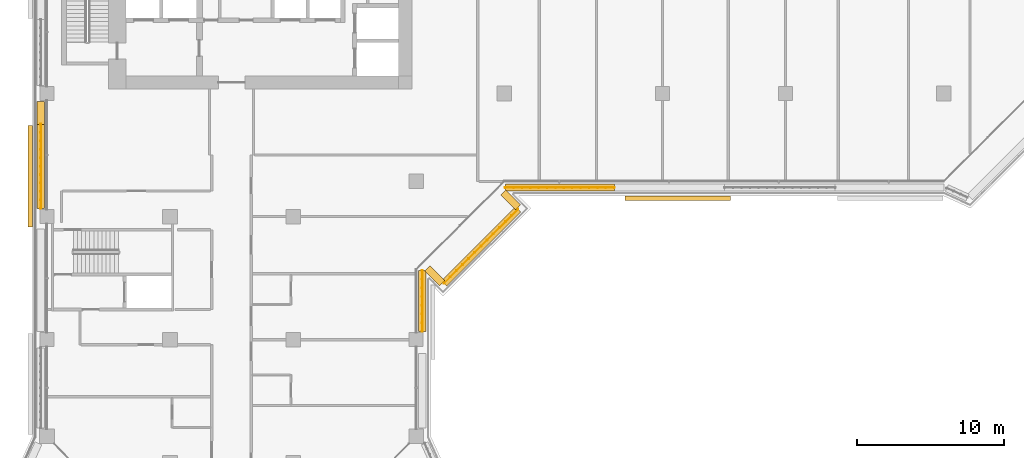
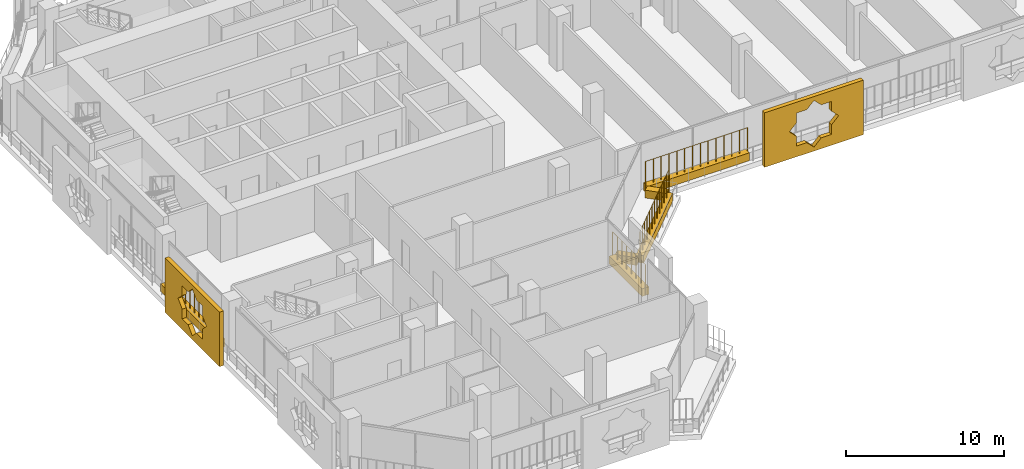
# One storey, part 16 of 21: 9 coverings, 4 railings.
"""IFC4 building model written with IfcOpenShell, lengths in metres."""

from ifc_helpers import new_model, si_unit, direction, frame, origin, origin_2d, place, context, subcontext, project, spatial, polyline, rectangle, circle, outline, extrude, material, material_profile, profile_set, type_object, element, save


model = new_model("IFC4")

# Units and contexts
model_context = context("Model", 3, precision=1e-05, world=origin(), true_north=direction((0.0, 1.0)))
body_context = subcontext(model_context, "Body", "Model", "MODEL_VIEW")
ifc_project = project(units=[si_unit("LENGTHUNIT", "METRE"), si_unit("AREAUNIT", "SQUARE_METRE"), si_unit("VOLUMEUNIT", "CUBIC_METRE"), si_unit("PLANEANGLEUNIT", "RADIAN"), si_unit("MASSUNIT", "GRAM", prefix="KILO")], contexts=[model_context])

# Site, building, storey
site_placement = place(None, origin())
site = spatial("IfcSite", under=ifc_project, at=site_placement, CompositionType="ELEMENT")
building_placement = place(site_placement, origin())
building = spatial("IfcBuilding", under=site, at=building_placement, Name="Kawkab Arch Medical Tower", CompositionType="ELEMENT")
storey_placement = place(building_placement, frame((0.0, 0.0, 192.0)))
storey = spatial("IfcBuildingStorey", under=building, at=storey_placement, Name="L44", CompositionType="ELEMENT", Elevation=192.0)

# Coverings
ifc_material_1 = material(Name="Bronze anodised aluminium mashrabiya panel, eight-point star pattern", Category="aluminium")
ifc_material_profile_1 = material_profile(ifc_material_1, outline(polyline([(-3.449951171875, -2.10009765625), (3.449951171875, -2.10009765625), (3.449951171875, 2.10009765625), (-3.449951171875, 2.10009765625), (-3.449951171875, -2.10009765625)]), holes=[polyline([(1.800048828125, 0.0), (1.272705078125, 0.527099609375), (1.272705078125, 1.272705078125), (0.527099609375, 1.272705078125), (0.0, 1.800048828125), (-0.527099609375, 1.272705078125), (-1.272705078125, 1.272705078125), (-1.272705078125, 0.527099609375), (-1.800048828125, 0.0), (-1.272705078125, -0.527099609375), (-1.272705078125, -1.272705078125), (-0.527099609375, -1.272705078125), (0.0, -1.800048828125), (0.527099609375, -1.272705078125), (1.272705078125, -1.272705078125), (1.272705078125, -0.527099609375), (1.800048828125, 0.0)])]), Name="Mashrabiya panel 6900x4200")
ifc_profile_set_1 = profile_set([ifc_material_profile_1], Name="Bronze anodised aluminium mashrabiya panel, eight-point star pattern")
covering_type_1 = type_object("IfcCoveringType", Name="Mashrabiya panel 6900 x 4200", PredefinedType="USERDEFINED", material=ifc_profile_set_1)
covering_1_placement = place(storey_placement, frame((-1.0, -30.850341796875, 1.699951171875), z_axis=(-1.0, 0.0, 0.0), x_axis=(0.0, -1.0, 0.0)))
element("IfcCovering", 1, at=covering_1_placement, inside=storey, type_object=covering_type_1, Name="Mashrabiya panel L44.LOG-01-01.3", ObjectType="SCREEN", PredefinedType="USERDEFINED", context=body_context, shape_type="SweptSolid", body=[
    extrude(outline(polyline([(-3.449951171875, -2.10009765625), (3.449951171875, -2.10009765625), (3.449951171875, 2.10009765625), (-3.449951171875, 2.10009765625), (-3.449951171875, -2.10009765625)]), holes=[polyline([(1.800048828125, 0.0), (1.272705078125, 0.527099609375), (1.272705078125, 1.272705078125), (0.527099609375, 1.272705078125), (0.0, 1.800048828125), (-0.527099609375, 1.272705078125), (-1.272705078125, 1.272705078125), (-1.272705078125, 0.527099609375), (-1.800048828125, 0.0), (-1.272705078125, -0.527099609375), (-1.272705078125, -1.272705078125), (-0.527099609375, -1.272705078125), (0.0, -1.800048828125), (0.527099609375, -1.272705078125), (1.272705078125, -1.272705078125), (1.272705078125, -0.527099609375), (1.800048828125, 0.0)])]), origin(), (0.0, 0.0, 1.0), 0.300048828125),
])
ifc_material_2 = material(Name="Bronze anodised aluminium mashrabiya panel, eight-point star pattern", Category="aluminium")
ifc_material_profile_2 = material_profile(ifc_material_2, outline(polyline([(-3.60009765625, -2.10009765625), (3.60009765625, -2.10009765625), (3.60009765625, 2.10009765625), (-3.60009765625, 2.10009765625), (-3.60009765625, -2.10009765625)]), holes=[polyline([(1.800048828125, 0.0), (1.272705078125, 0.527099609375), (1.272705078125, 1.272705078125), (0.527099609375, 1.272705078125), (0.0, 1.800048828125), (-0.527099609375, 1.272705078125), (-1.272705078125, 1.272705078125), (-1.272705078125, 0.527099609375), (-1.800048828125, 0.0), (-1.272705078125, -0.527099609375), (-1.272705078125, -1.272705078125), (-0.527099609375, -1.272705078125), (0.0, -1.800048828125), (0.527099609375, -1.272705078125), (1.272705078125, -1.272705078125), (1.272705078125, -0.527099609375), (1.800048828125, 0.0)])]), Name="Mashrabiya panel 7200x4200")
ifc_profile_set_2 = profile_set([ifc_material_profile_2], Name="Bronze anodised aluminium mashrabiya panel, eight-point star pattern")
covering_type_2 = type_object("IfcCoveringType", Name="Mashrabiya panel 7200 x 4200", PredefinedType="USERDEFINED", material=ifc_profile_set_2)
covering_2_placement = place(storey_placement, frame((43.06494140625, -32.199951171875, 1.699951171875), z_axis=(0.0, -1.0, 0.0), x_axis=(1.0, 0.0, 0.0)))
element("IfcCovering", 2, at=covering_2_placement, inside=storey, type_object=covering_type_2, Name="Mashrabiya panel L44.LOG-01-01.11", ObjectType="SCREEN", PredefinedType="USERDEFINED", context=body_context, shape_type="SweptSolid", body=[
    extrude(outline(polyline([(-3.60009765625, -2.10009765625), (3.60009765625, -2.10009765625), (3.60009765625, 2.10009765625), (-3.60009765625, 2.10009765625), (-3.60009765625, -2.10009765625)]), holes=[polyline([(1.800048828125, 0.0), (1.272705078125, 0.527099609375), (1.272705078125, 1.272705078125), (0.527099609375, 1.272705078125), (0.0, 1.800048828125), (-0.527099609375, 1.272705078125), (-1.272705078125, 1.272705078125), (-1.272705078125, 0.527099609375), (-1.800048828125, 0.0), (-1.272705078125, -0.527099609375), (-1.272705078125, -1.272705078125), (-0.527099609375, -1.272705078125), (0.0, -1.800048828125), (0.527099609375, -1.272705078125), (1.272705078125, -1.272705078125), (1.272705078125, -0.527099609375), (1.800048828125, 0.0)])]), origin(), (0.0, 0.0, 1.0), 0.300048828125),
])
ifc_material_3 = material(Name="Planting soil in a precast trough", Category="concrete")
ifc_material_profile_3 = material_profile(ifc_material_3, rectangle(XDim=0.5, YDim=0.60009765625, at=origin_2d()), Name="Trough 500x600")
ifc_profile_set_3 = profile_set([ifc_material_profile_3], Name="Planting soil in a precast trough")
covering_type_3 = type_object("IfcCoveringType", Name="Planter trough 500 x 600", PredefinedType="USERDEFINED", material=ifc_profile_set_3)
covering_3_placement = place(storey_placement, frame((-0.419921875, -33.044921875, 0.300048828125), z_axis=(0.0, 1.0, 0.0), x_axis=(-1.0, 0.0, 0.0)))
element("IfcCovering", 3, at=covering_3_placement, inside=storey, type_object=covering_type_3, Name="Planter L44.LOG-01-01.9", ObjectType="PLANTER", PredefinedType="USERDEFINED", context=body_context, shape_type="SweptSolid", body=[
    extrude(rectangle(XDim=0.5, YDim=0.60009765625, at=origin_2d()), origin(), (0.0, 0.0, 1.0), 5.744873046875),
])
covering_4_placement = place(storey_placement, frame((-0.419921875, -27.300048828125, 0.300048828125), z_axis=(0.0, 1.0, 0.0), x_axis=(-1.0, 0.0, 0.0)))
element("IfcCovering", 4, at=covering_4_placement, inside=storey, type_object=covering_type_3, Name="Planter L44.LOG-01-01.10", ObjectType="PLANTER", PredefinedType="USERDEFINED", context=body_context, shape_type="SweptSolid", body=[
    extrude(rectangle(XDim=0.5, YDim=0.60009765625, at=origin_2d()), origin(), (0.0, 0.0, 1.0), 1.545166015625),
])
covering_5_placement = place(storey_placement, frame((38.719970703125, -31.6201171875, 0.300048828125), z_axis=(-1.0, 0.0, 0.0), x_axis=(0.0, -1.0, 0.0)))
element("IfcCovering", 5, at=covering_5_placement, inside=storey, type_object=covering_type_3, Name="Planter L44.LOG-01-01.37", ObjectType="PLANTER", PredefinedType="USERDEFINED", context=body_context, shape_type="SweptSolid", body=[
    extrude(rectangle(XDim=0.5, YDim=0.60009765625, at=origin_2d()), origin(), (0.0, 0.0, 1.0), 7.43505859375),
])
covering_6_placement = place(storey_placement, frame((31.14306640625, -31.962890625, 0.300048828125), z_axis=(0.707020805532, -0.707192746389, 0.0), x_axis=(0.707192746389, 0.707020805532, 0.0)))
element("IfcCovering", 6, at=covering_6_placement, inside=storey, type_object=covering_type_3, Name="Planter L44.LOG-01-01.38", ObjectType="PLANTER", PredefinedType="USERDEFINED", context=body_context, shape_type="SweptSolid", body=[
    extrude(rectangle(XDim=0.5, YDim=0.60009765625, at=origin_2d()), origin(), (0.0, 0.0, 1.0), 1.419921875),
])
covering_7_placement = place(storey_placement, frame((32.14697265625, -33.10888671875, 0.300048828125), z_axis=(-0.707106781187, -0.707106781187, 0.0), x_axis=(0.707106781187, -0.707106781187, 0.0)))
element("IfcCovering", 7, at=covering_7_placement, inside=storey, type_object=covering_type_3, Name="Planter L44.LOG-01-01.39", ObjectType="PLANTER", PredefinedType="USERDEFINED", context=body_context, shape_type="SweptSolid", body=[
    extrude(rectangle(XDim=0.5, YDim=0.60009765625, at=origin_2d()), origin(), (0.0, 0.0, 1.0), 7.125),
])
covering_8_placement = place(storey_placement, frame((26.967041015625, -38.14697265625, 0.300048828125), z_axis=(-0.707192746389, 0.707020805532, 0.0), x_axis=(-0.707020805532, -0.707192746389, 0.0)))
element("IfcCovering", 8, at=covering_8_placement, inside=storey, type_object=covering_type_3, Name="Planter L44.LOG-01-01.40", ObjectType="PLANTER", PredefinedType="USERDEFINED", context=body_context, shape_type="SweptSolid", body=[
    extrude(rectangle(XDim=0.5, YDim=0.60009765625, at=origin_2d()), origin(), (0.0, 0.0, 1.0), 1.419921875),
])
covering_9_placement = place(storey_placement, frame((25.6201171875, -37.284912109375, 0.300048828125), z_axis=(0.0, -1.0, 0.0), x_axis=(1.0, 0.0, 0.0)))
element("IfcCovering", 9, at=covering_9_placement, inside=storey, type_object=covering_type_3, Name="Planter L44.LOG-01-01.41", ObjectType="PLANTER", PredefinedType="USERDEFINED", context=body_context, shape_type="SweptSolid", body=[
    extrude(rectangle(XDim=0.5, YDim=0.60009765625, at=origin_2d()), origin(), (0.0, 0.0, 1.0), 4.16015625),
])

# Railings
ifc_material_4 = material(Name="Bronze anodised aluminium trellis for climbing plants", Category="aluminium")
railing_type = type_object("IfcRailingType", Name="Planting trellis 2400", PredefinedType="USERDEFINED", material=ifc_material_4)
railing_1_placement = place(storey_placement, frame((-0.419921875, -33.044921875, 0.0)))
element("IfcRailing", 10, at=railing_1_placement, inside=storey, type_object=railing_type, Name="Planting trellis L44.LOG-01-01.9", ObjectType="TRELLIS", PredefinedType="USERDEFINED", context=body_context, shape_type="SweptSolid", body=[
    extrude(circle(Radius=0.01513671875, at=origin_2d()), frame((0.0, 0.0, 2.384765625), z_axis=(0.0, 1.0, 0.0), x_axis=(-1.0, 0.0, 0.0)), (0.0, 0.0, 1.0), 5.744873046875),
    extrude(circle(Radius=0.030029296875, at=origin_2d()), origin(), (0.0, 0.0, 1.0), 2.369873046875),
    extrude(circle(Radius=0.030029296875, at=origin_2d()), frame((0.0, 0.574462890625, 0.0)), (0.0, 0.0, 1.0), 2.369873046875),
    extrude(circle(Radius=0.030029296875, at=origin_2d()), frame((0.0, 1.14892578125, 0.0)), (0.0, 0.0, 1.0), 2.369873046875),
    extrude(circle(Radius=0.030029296875, at=origin_2d()), frame((0.0, 1.723388671875, 0.0)), (0.0, 0.0, 1.0), 2.369873046875),
    extrude(circle(Radius=0.030029296875, at=origin_2d()), frame((0.0, 2.2978515625, 0.0)), (0.0, 0.0, 1.0), 2.369873046875),
    extrude(circle(Radius=0.030029296875, at=origin_2d()), frame((0.0, 2.87255859375, 0.0)), (0.0, 0.0, 1.0), 2.369873046875),
    extrude(circle(Radius=0.030029296875, at=origin_2d()), frame((0.0, 3.447021484375, 0.0)), (0.0, 0.0, 1.0), 2.369873046875),
    extrude(circle(Radius=0.030029296875, at=origin_2d()), frame((0.0, 4.021484375, 0.0)), (0.0, 0.0, 1.0), 2.369873046875),
    extrude(circle(Radius=0.030029296875, at=origin_2d()), frame((0.0, 4.595947265625, 0.0)), (0.0, 0.0, 1.0), 2.369873046875),
    extrude(circle(Radius=0.030029296875, at=origin_2d()), frame((0.0, 5.17041015625, 0.0)), (0.0, 0.0, 1.0), 2.369873046875),
    extrude(circle(Radius=0.030029296875, at=origin_2d()), frame((0.0, 5.744873046875, 0.0)), (0.0, 0.0, 1.0), 2.369873046875),
])
railing_2_placement = place(storey_placement, frame((38.719970703125, -31.6201171875, 0.0)))
element("IfcRailing", 11, at=railing_2_placement, inside=storey, type_object=railing_type, Name="Planting trellis L44.LOG-01-01.37", ObjectType="TRELLIS", PredefinedType="USERDEFINED", context=body_context, shape_type="SweptSolid", body=[
    extrude(circle(Radius=0.01513671875, at=origin_2d()), frame((0.0, 0.0, 2.384765625), z_axis=(-1.0, 0.0, 0.0), x_axis=(0.0, -1.0, 0.0)), (0.0, 0.0, 1.0), 7.43505859375),
    extrude(circle(Radius=0.030029296875, at=origin_2d()), origin(), (0.0, 0.0, 1.0), 2.369873046875),
    extrude(circle(Radius=0.030029296875, at=origin_2d()), frame((-0.572021484375, 0.0, 0.0)), (0.0, 0.0, 1.0), 2.369873046875),
    extrude(circle(Radius=0.030029296875, at=origin_2d()), frame((-1.143798828125, 0.0, 0.0)), (0.0, 0.0, 1.0), 2.369873046875),
    extrude(circle(Radius=0.030029296875, at=origin_2d()), frame((-1.7158203125, 0.0, 0.0)), (0.0, 0.0, 1.0), 2.369873046875),
    extrude(circle(Radius=0.030029296875, at=origin_2d()), frame((-2.28759765625, 0.0, 0.0)), (0.0, 0.0, 1.0), 2.369873046875),
    extrude(circle(Radius=0.030029296875, at=origin_2d()), frame((-2.859619140625, 0.0, 0.0)), (0.0, 0.0, 1.0), 2.369873046875),
    extrude(circle(Radius=0.030029296875, at=origin_2d()), frame((-3.431640625, 0.0, 0.0)), (0.0, 0.0, 1.0), 2.369873046875),
    extrude(circle(Radius=0.030029296875, at=origin_2d()), frame((-4.00341796875, 0.0, 0.0)), (0.0, 0.0, 1.0), 2.369873046875),
    extrude(circle(Radius=0.030029296875, at=origin_2d()), frame((-4.575439453125, 0.0, 0.0)), (0.0, 0.0, 1.0), 2.369873046875),
    extrude(circle(Radius=0.030029296875, at=origin_2d()), frame((-5.1474609375, 0.0, 0.0)), (0.0, 0.0, 1.0), 2.369873046875),
    extrude(circle(Radius=0.030029296875, at=origin_2d()), frame((-5.71923828125, 0.0, 0.0)), (0.0, 0.0, 1.0), 2.369873046875),
    extrude(circle(Radius=0.030029296875, at=origin_2d()), frame((-6.291259765625, 0.0, 0.0)), (0.0, 0.0, 1.0), 2.369873046875),
    extrude(circle(Radius=0.030029296875, at=origin_2d()), frame((-6.863037109375, 0.0, 0.0)), (0.0, 0.0, 1.0), 2.369873046875),
    extrude(circle(Radius=0.030029296875, at=origin_2d()), frame((-7.43505859375, 0.0, 0.0)), (0.0, 0.0, 1.0), 2.369873046875),
])
railing_3_placement = place(storey_placement, frame((32.14697265625, -33.10888671875, 0.0)))
element("IfcRailing", 12, at=railing_3_placement, inside=storey, type_object=railing_type, Name="Planting trellis L44.LOG-01-01.39", ObjectType="TRELLIS", PredefinedType="USERDEFINED", context=body_context, shape_type="SweptSolid", body=[
    extrude(circle(Radius=0.01513671875, at=origin_2d()), frame((0.0, 0.0, 2.384765625), z_axis=(-0.707106781187, -0.707106781187, 0.0), x_axis=(0.707106781187, -0.707106781187, 0.0)), (0.0, 0.0, 1.0), 7.125),
    extrude(circle(Radius=0.030029296875, at=origin_2d()), origin(), (0.0, 0.0, 1.0), 2.369873046875),
    extrude(circle(Radius=0.030029296875, at=origin_2d()), frame((-0.419921875, -0.419921875, 0.0)), (0.0, 0.0, 1.0), 2.369873046875),
    extrude(circle(Radius=0.030029296875, at=origin_2d()), frame((-0.839599609375, -0.839599609375, 0.0)), (0.0, 0.0, 1.0), 2.369873046875),
    extrude(circle(Radius=0.030029296875, at=origin_2d()), frame((-1.259521484375, -1.259521484375, 0.0)), (0.0, 0.0, 1.0), 2.369873046875),
    extrude(circle(Radius=0.030029296875, at=origin_2d()), frame((-1.679443359375, -1.679443359375, 0.0)), (0.0, 0.0, 1.0), 2.369873046875),
    extrude(circle(Radius=0.030029296875, at=origin_2d()), frame((-2.09912109375, -2.09912109375, 0.0)), (0.0, 0.0, 1.0), 2.369873046875),
    extrude(circle(Radius=0.030029296875, at=origin_2d()), frame((-2.51904296875, -2.51904296875, 0.0)), (0.0, 0.0, 1.0), 2.369873046875),
    extrude(circle(Radius=0.030029296875, at=origin_2d()), frame((-2.93896484375, -2.93896484375, 0.0)), (0.0, 0.0, 1.0), 2.369873046875),
    extrude(circle(Radius=0.030029296875, at=origin_2d()), frame((-3.358642578125, -3.358642578125, 0.0)), (0.0, 0.0, 1.0), 2.369873046875),
    extrude(circle(Radius=0.030029296875, at=origin_2d()), frame((-3.778564453125, -3.778564453125, 0.0)), (0.0, 0.0, 1.0), 2.369873046875),
    extrude(circle(Radius=0.030029296875, at=origin_2d()), frame((-4.198486328125, -4.198486328125, 0.0)), (0.0, 0.0, 1.0), 2.369873046875),
    extrude(circle(Radius=0.030029296875, at=origin_2d()), frame((-4.6181640625, -4.6181640625, 0.0)), (0.0, 0.0, 1.0), 2.369873046875),
    extrude(circle(Radius=0.030029296875, at=origin_2d()), frame((-5.0380859375, -5.0380859375, 0.0)), (0.0, 0.0, 1.0), 2.369873046875),
])
railing_4_placement = place(storey_placement, frame((25.6201171875, -37.284912109375, 0.0)))
element("IfcRailing", 13, at=railing_4_placement, inside=storey, type_object=railing_type, Name="Planting trellis L44.LOG-01-01.41", ObjectType="TRELLIS", PredefinedType="USERDEFINED", context=body_context, shape_type="SweptSolid", body=[
    extrude(circle(Radius=0.01513671875, at=origin_2d()), frame((0.0, 0.0, 2.384765625), z_axis=(0.0, -1.0, 0.0), x_axis=(1.0, 0.0, 0.0)), (0.0, 0.0, 1.0), 4.16015625),
    extrude(circle(Radius=0.030029296875, at=origin_2d()), origin(), (0.0, 0.0, 1.0), 2.369873046875),
    extrude(circle(Radius=0.030029296875, at=origin_2d()), frame((0.0, -0.59423828125, 0.0)), (0.0, 0.0, 1.0), 2.369873046875),
    extrude(circle(Radius=0.030029296875, at=origin_2d()), frame((0.0, -1.188720703125, 0.0)), (0.0, 0.0, 1.0), 2.369873046875),
    extrude(circle(Radius=0.030029296875, at=origin_2d()), frame((0.0, -1.782958984375, 0.0)), (0.0, 0.0, 1.0), 2.369873046875),
    extrude(circle(Radius=0.030029296875, at=origin_2d()), frame((0.0, -2.377197265625, 0.0)), (0.0, 0.0, 1.0), 2.369873046875),
    extrude(circle(Radius=0.030029296875, at=origin_2d()), frame((0.0, -2.971435546875, 0.0)), (0.0, 0.0, 1.0), 2.369873046875),
    extrude(circle(Radius=0.030029296875, at=origin_2d()), frame((0.0, -3.56591796875, 0.0)), (0.0, 0.0, 1.0), 2.369873046875),
    extrude(circle(Radius=0.030029296875, at=origin_2d()), frame((0.0, -4.16015625, 0.0)), (0.0, 0.0, 1.0), 2.369873046875),
])

save(model, "model.ifc")
